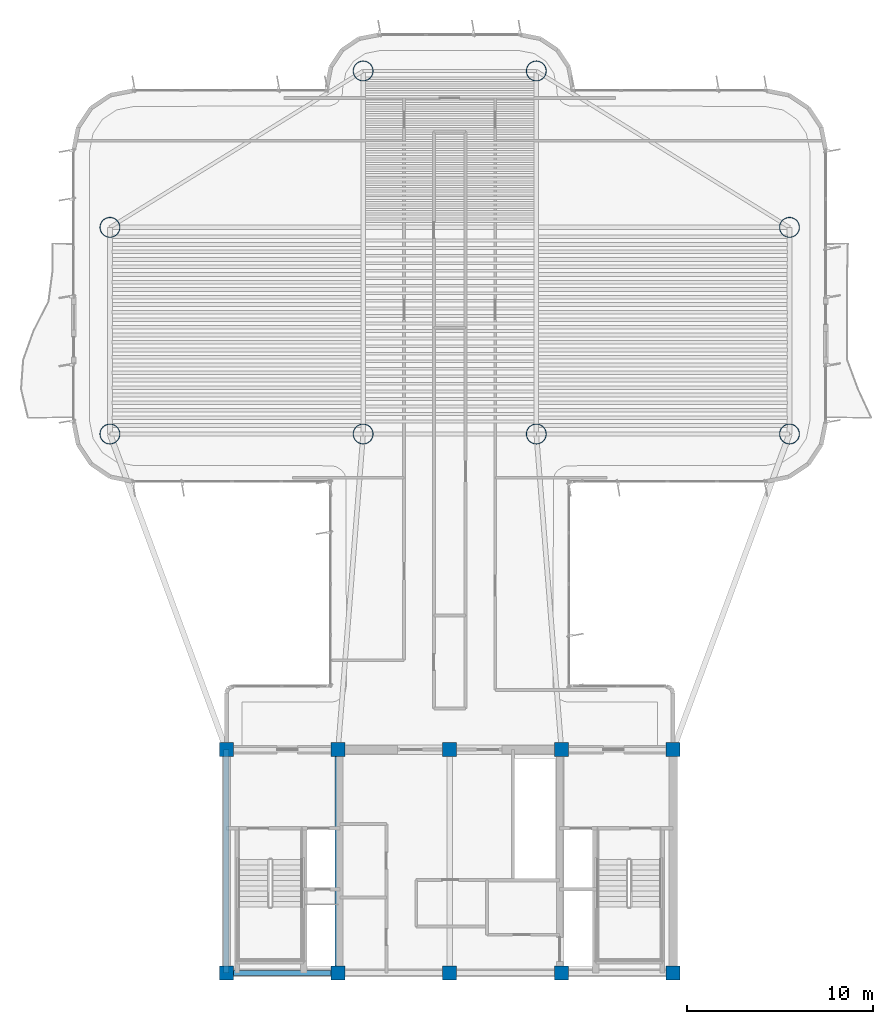
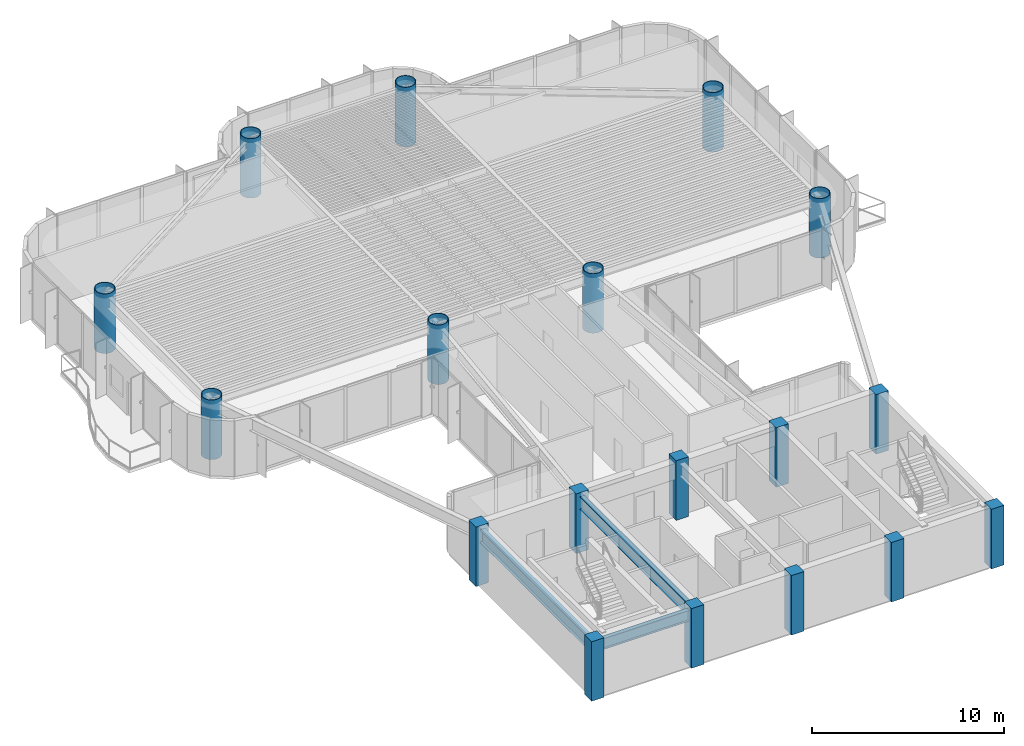
# One storey, part 1 of 13: 18 columns, 3 beams.
"""IFC4 building model written with IfcOpenShell, lengths in metres."""

from ifc_helpers import new_model, si_unit, direction, frame, origin, origin_2d, place, context, subcontext, project, spatial, rectangle, hollow_circle, i_section, extrude, source, transform, mapped, material, material_profile, profile_set, type_object, element, save


model = new_model("IFC4")

# Units and contexts
model_context = context("Model", 3, precision=1e-05, world=origin(), true_north=direction((0.0, 1.0)))
body_context = subcontext(model_context, "Body", "Model", "MODEL_VIEW")
ifc_project = project(units=[si_unit("LENGTHUNIT", "METRE"), si_unit("AREAUNIT", "SQUARE_METRE"), si_unit("VOLUMEUNIT", "CUBIC_METRE"), si_unit("PLANEANGLEUNIT", "RADIAN"), si_unit("MASSUNIT", "GRAM", prefix="KILO")], contexts=[model_context])

# Site, building, storey
site_placement = place(None, origin())
site = spatial("IfcSite", under=ifc_project, at=site_placement, CompositionType="ELEMENT")
building_placement = place(site_placement, origin())
building = spatial("IfcBuilding", under=site, at=building_placement, Name="Brelvock Crest Care Tower", CompositionType="ELEMENT")
storey_placement = place(building_placement, frame((0.0, 0.0, 186.659912109375)))
storey = spatial("IfcBuildingStorey", under=building, at=storey_placement, Name="L47", CompositionType="ELEMENT", Elevation=186.659912109375)

# Columns
ifc_material_1 = material(Name="Concrete S65 (65 MPa)", Category="concrete")
ifc_material_profile_1 = material_profile(ifc_material_1, rectangle(XDim=0.75, YDim=0.75, at=origin_2d()), Name="RC750x750")
ifc_profile_set_1 = profile_set([ifc_material_profile_1], Name="Concrete S65 (65 MPa)")
column_type_1 = type_object("IfcColumnType", Name="COL-RC3", PredefinedType="COLUMN", material=ifc_profile_set_1)
shared_shape_1 = source(origin(), body_context, "Body", "SweptSolid", [
    extrude(rectangle(XDim=0.75, YDim=0.75, at=origin_2d()), origin(), (0.0, 0.0, 1.0), 3.780029296875),
])
for number, where, z_axis, x_axis, name in (
    (1, (24.0, 6.0, 0.0), (0.0, 0.0, 1.0), (1.0, 0.0, 0.0), "L47 Core Column CC-01"),
    (2, (30.0, 6.0, 0.0), (0.0, 0.0, 1.0), (1.0, 0.0, 0.0), "L47 Core Column CC-02"),
    (3, (36.0, 6.0, 0.0), (0.0, 0.0, 1.0), (1.0, 0.0, 0.0), "L47 Core Column CC-03"),
    (4, (42.0, 6.0, 0.0), (0.0, 0.0, 1.0), (1.0, 0.0, 0.0), "L47 Core Column CC-04"),
    (5, (48.0, 6.0, 0.0), (0.0, 0.0, 1.0), (1.0, 0.0, 0.0), "L47 Core Column CC-05"),
    (6, (24.0, 18.0, 0.0), (0.0, 0.0, 1.0), (1.0, 0.0, 0.0), "L47 Core Column CC-06"),
    (7, (30.0, 18.0, 0.0), (0.0, 0.0, 1.0), (1.0, 0.0, 0.0), "L47 Core Column CC-07"),
    (8, (36.0, 18.0, 0.0), (0.0, 0.0, 1.0), (1.0, 0.0, 0.0), "L47 Core Column CC-08"),
    (9, (42.0, 18.0, 0.0), (0.0, 0.0, 1.0), (1.0, 0.0, 0.0), "L47 Core Column CC-09"),
    (10, (48.0, 18.0, 0.0), (0.0, 0.0, 1.0), (1.0, 0.0, 0.0), "L47 Core Column CC-10"),
):
    element("IfcColumn", number, at=place(storey_placement, frame(where, z_axis=z_axis, x_axis=x_axis)), inside=storey, type_object=column_type_1, Name=name, PredefinedType="COLUMN", context=body_context, shape_type="MappedRepresentation", body=[
        mapped(shared_shape_1, transform((0.0, 0.0, 0.0), x_axis=(1.0, 0.0, 0.0), y_axis=(0.0, 1.0, 0.0), z_axis=(0.0, 0.0, 1.0), scale=1.0)),
    ])
ifc_material_2 = material(Name="Steel Grade 350", Category="steel")
ifc_material_profile_2 = material_profile(ifc_material_2, hollow_circle(Radius=0.550048828125, WallThickness=0.0400390625, at=origin_2d()), Name="CFT1100x40")
ifc_profile_set_2 = profile_set([ifc_material_profile_2], Name="Steel Grade 350")
column_type_2 = type_object("IfcColumnType", Name="COL-MC3", PredefinedType="COLUMN", material=ifc_profile_set_2)
shared_shape_2 = source(origin(), body_context, "Body", "SweptSolid", [
    extrude(hollow_circle(Radius=0.550048828125, WallThickness=0.0400390625, at=origin_2d()), origin(), (0.0, 0.0, 1.0), 3.780029296875),
])
for number, where, z_axis, x_axis, name in (
    (11, (17.75, 34.949951171875, 0.0), (0.0, 0.0, 1.0), (1.0, 0.0, 0.0), "L47 Tower Column M1"),
    (12, (17.75, 46.050048828125, 0.0), (0.0, 0.0, 1.0), (1.0, 0.0, 0.0), "L47 Tower Column M2"),
    (13, (54.25, 34.949951171875, 0.0), (0.0, 0.0, 1.0), (1.0, 0.0, 0.0), "L47 Tower Column M3"),
    (14, (54.25, 46.050048828125, 0.0), (0.0, 0.0, 1.0), (1.0, 0.0, 0.0), "L47 Tower Column M4"),
    (15, (31.35009765625, 34.949951171875, 0.0), (0.0, 0.0, 1.0), (1.0, 0.0, 0.0), "L47 Tower Column M5"),
    (16, (40.64990234375, 34.949951171875, 0.0), (0.0, 0.0, 1.0), (1.0, 0.0, 0.0), "L47 Tower Column M6"),
    (17, (31.35009765625, 54.449951171875, 0.0), (0.0, 0.0, 1.0), (1.0, 0.0, 0.0), "L47 Tower Column M7"),
    (18, (40.64990234375, 54.449951171875, 0.0), (0.0, 0.0, 1.0), (1.0, 0.0, 0.0), "L47 Tower Column M8"),
):
    element("IfcColumn", number, at=place(storey_placement, frame(where, z_axis=z_axis, x_axis=x_axis)), inside=storey, type_object=column_type_2, Name=name, PredefinedType="COLUMN", context=body_context, shape_type="MappedRepresentation", body=[
        mapped(shared_shape_2, transform((0.0, 0.0, 0.0), x_axis=(1.0, 0.0, 0.0), y_axis=(0.0, 1.0, 0.0), z_axis=(0.0, 0.0, 1.0), scale=1.0)),
    ])

# Beams
ifc_material_profile_3 = material_profile(ifc_material_2, i_section(OverallWidth=0.25, OverallDepth=0.699951171875, WebThickness=0.011962890625, FlangeThickness=0.02001953125, at=origin_2d()), Name="700WB150")
ifc_profile_set_3 = profile_set([ifc_material_profile_3], Name="Steel Grade 350")
beam_type_1 = type_object("IfcBeamType", Name="BM-G4", PredefinedType="BEAM", material=ifc_profile_set_3)
shared_shape_3 = source(origin(), body_context, "Body", "SweptSolid", [
    extrude(i_section(OverallWidth=0.25, OverallDepth=0.699951171875, WebThickness=0.011962890625, FlangeThickness=0.02001953125, at=origin_2d()), origin(), (0.0, 0.0, 1.0), 6.0),
])
beam_placement = place(storey_placement, frame((24.0, 6.0, 3.18017578125), z_axis=(1.0, 0.0, 0.0), x_axis=(0.0, 1.0, 0.0)))
element("IfcBeam", 19, at=beam_placement, inside=storey, type_object=beam_type_1, Name="BM-CORES-L47-1", PredefinedType="BEAM", context=body_context, shape_type="MappedRepresentation", body=[
    mapped(shared_shape_3, transform((0.0, 0.0, 0.0), x_axis=(1.0, 0.0, 0.0), y_axis=(0.0, 1.0, 0.0), z_axis=(0.0, 0.0, 1.0), scale=1.0)),
])
ifc_material_profile_4 = material_profile(ifc_material_2, i_section(OverallWidth=0.300048828125, OverallDepth=0.800048828125, WebThickness=0.013916015625, FlangeThickness=0.02197265625, at=origin_2d()), Name="800WB192")
ifc_profile_set_4 = profile_set([ifc_material_profile_4], Name="Steel Grade 350")
beam_type_2 = type_object("IfcBeamType", Name="BM-G5", PredefinedType="BEAM", material=ifc_profile_set_4)
shared_shape_4 = source(origin(), body_context, "Body", "SweptSolid", [
    extrude(i_section(OverallWidth=0.300048828125, OverallDepth=0.800048828125, WebThickness=0.013916015625, FlangeThickness=0.02197265625, at=origin_2d()), origin(), (0.0, 0.0, 1.0), 12.0),
])
for number, where, z_axis, x_axis, name in (
    (20, (24.0, 6.0, 3.130126953125), (0.0, 1.0, 0.0), (-1.0, 0.0, 0.0), "BM-COREX-L47-1"),
    (21, (30.0, 6.0, 3.130126953125), (0.0, 1.0, 0.0), (-1.0, 0.0, 0.0), "BM-COREX-L47-2"),
):
    element("IfcBeam", number, at=place(storey_placement, frame(where, z_axis=z_axis, x_axis=x_axis)), inside=storey, type_object=beam_type_2, Name=name, PredefinedType="BEAM", context=body_context, shape_type="MappedRepresentation", body=[
        mapped(shared_shape_4, transform((0.0, 0.0, 0.0), x_axis=(1.0, 0.0, 0.0), y_axis=(0.0, 1.0, 0.0), z_axis=(0.0, 0.0, 1.0), scale=1.0)),
    ])

save(model, "model.ifc")
